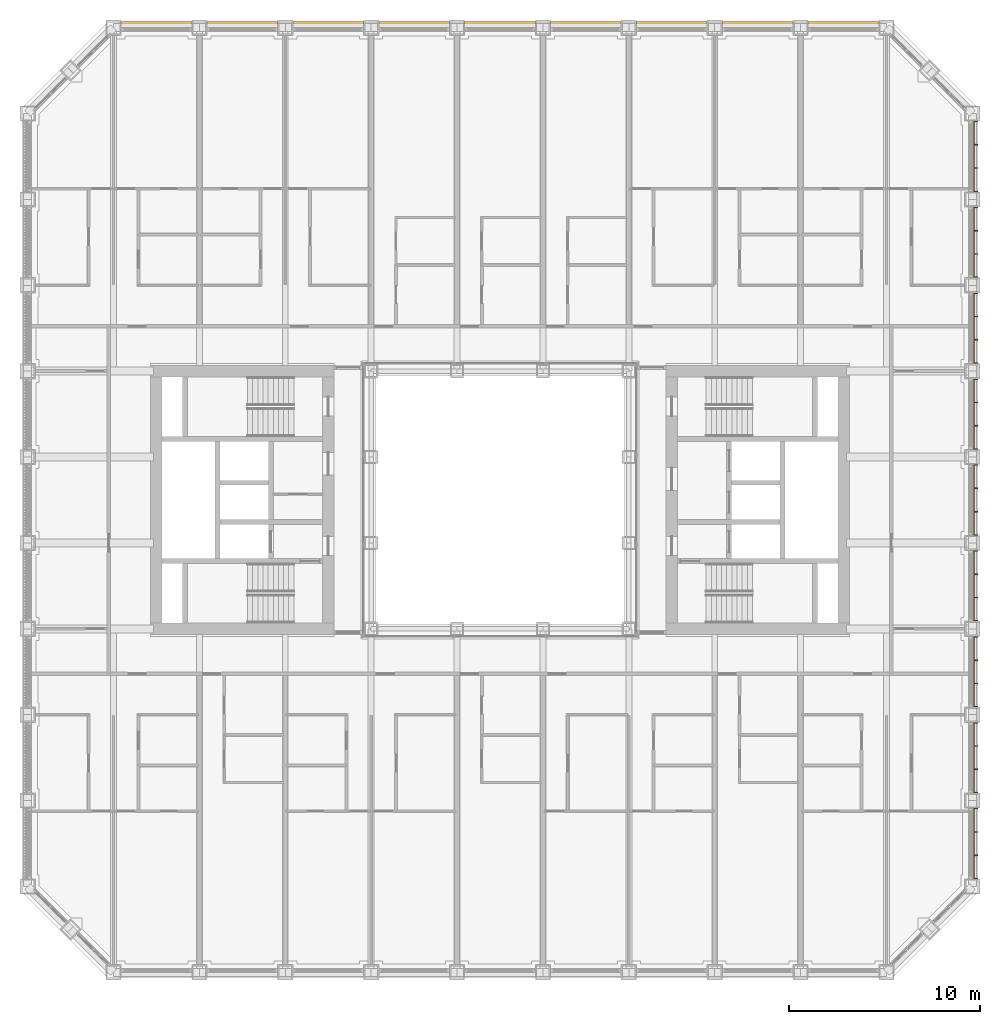
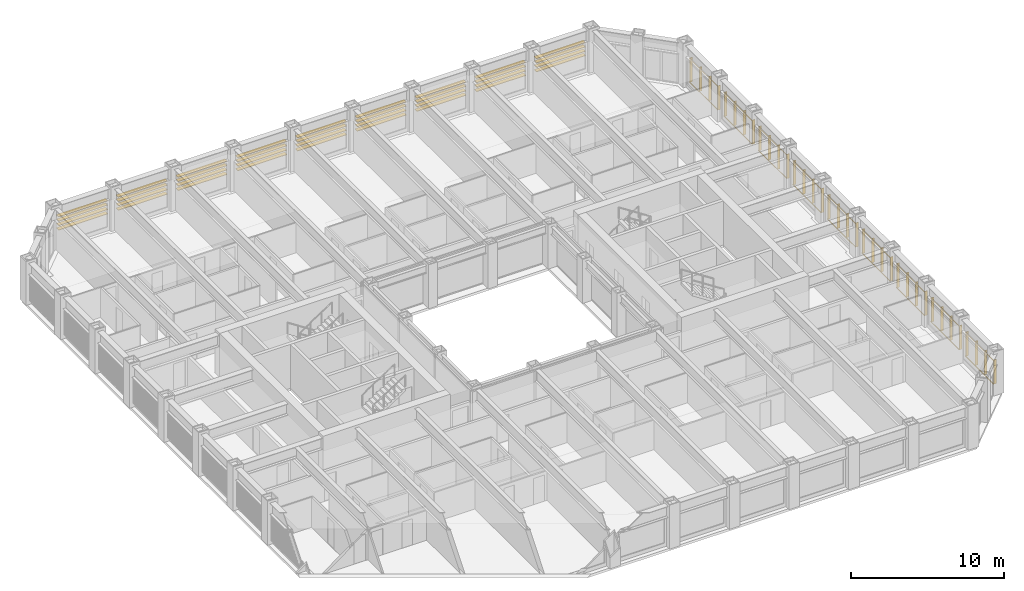
# One storey, part 21 of 21: 2 shading devices.
"""IFC4 building model written with IfcOpenShell, lengths in metres."""

import ifcopenshell
import ifcopenshell.guid

model = None  # the IFC model being written
_history = None  # IfcOwnerHistory: only IFC2X3 demands one
_inside = {}  # id of a spatial element -> (the spatial element, [elements in it])
_under = {}  # id of a project, library or spatial element -> (it, [spatial elements below it])
_declared = {}  # id of a project -> (the project, [libraries it declares])
_typed = {}  # id of a type object -> (the type object, [elements of that type])
_made_of = {}  # id of a material, layer set ... -> (it, [elements and type objects made of it])


def new_model(schema):
    """Start an empty IFC model of exactly this schema.

    Asked for "IFC4X3", IfcOpenShell would pick the latest addendum, in which some entities
    have other attributes; the version numbers below select the first issue.
    IFC2X3 requires an IfcOwnerHistory on every rooted entity: one is made here for all.
    """
    global model, _history
    if schema == "IFC4X3":
        model = ifcopenshell.file(schema_version=(4, 3, 0, 0))
    else:
        model = ifcopenshell.file(schema=schema)
    _inside.clear()
    _under.clear()
    _declared.clear()
    _typed.clear()
    _made_of.clear()
    _history = None
    if model.schema == "IFC2X3":
        org = make("IfcOrganization", Name="unknown")
        user = make(
            "IfcPersonAndOrganization",
            ThePerson=make("IfcPerson", FamilyName="unknown"),
            TheOrganization=org,
        )
        app = make(
            "IfcApplication",
            ApplicationDeveloper=org,
            Version="unknown",
            ApplicationFullName="unknown",
            ApplicationIdentifier="unknown",
        )
        _history = make(
            "IfcOwnerHistory",
            OwningUser=user,
            OwningApplication=app,
            ChangeAction="ADDED",
            CreationDate=0,
        )
    return model


def make(cls, **values):
    """One entity of the class cls with the attributes given. An attribute that is None is left unset."""
    return model.create_entity(
        cls, **{name: value for name, value in values.items() if value is not None}
    )


def rooted(cls, **values):
    """An entity with a GlobalId (a new one), such as an element, a storey or a relation."""
    return make(cls, GlobalId=ifcopenshell.guid.new(), OwnerHistory=_history, **values)


def si_unit(unit_type, name, prefix=None):
    """IfcSIUnit, for example si_unit("LENGTHUNIT", "METRE", prefix="MILLI")."""
    return make("IfcSIUnit", UnitType=unit_type, Prefix=prefix, Name=name)


def assignment(units):
    """IfcUnitAssignment: the units of a project."""
    return None if units is None else make("IfcUnitAssignment", Units=units)


def point(xyz):
    """IfcCartesianPoint."""
    return None if xyz is None else make("IfcCartesianPoint", Coordinates=xyz)


def direction(xyz):
    """IfcDirection."""
    return None if xyz is None else make("IfcDirection", DirectionRatios=xyz)


def frame(location, z_axis=None, x_axis=None):
    """IfcAxis2Placement3D, a coordinate frame: its origin and axes. An axis left out is left unset."""
    return make(
        "IfcAxis2Placement3D",
        Location=point(location),
        Axis=direction(z_axis),
        RefDirection=direction(x_axis),
    )


def frame_2d(location, x_axis=None):
    """IfcAxis2Placement2D, a coordinate frame in the plane: its origin and x axis."""
    return make(
        "IfcAxis2Placement2D", Location=point(location), RefDirection=direction(x_axis)
    )


def origin():
    """The frame at (0, 0, 0) with its axes left unset."""
    return frame((0.0, 0.0, 0.0))


def origin_2d():
    """The frame at (0, 0) in the plane with its x axis left unset."""
    return frame_2d((0.0, 0.0))


def place(relative_to, where):
    """IfcLocalPlacement: puts the frame where relative to a parent placement (None: the world)."""
    return make(
        "IfcLocalPlacement", PlacementRelTo=relative_to, RelativePlacement=where
    )


def context(
    kind, dimensions, precision=None, world=None, true_north=None, identifier=None
):
    """IfcGeometricRepresentationContext, for example the 3D "Model" context."""
    return make(
        "IfcGeometricRepresentationContext",
        ContextIdentifier=identifier,
        ContextType=kind,
        CoordinateSpaceDimension=dimensions,
        Precision=precision,
        WorldCoordinateSystem=world,
        TrueNorth=true_north,
    )


def subcontext(parent, identifier, kind, view, scale=None):
    """IfcGeometricRepresentationSubContext, for example "Body" below "Model"."""
    return make(
        "IfcGeometricRepresentationSubContext",
        ContextIdentifier=identifier,
        ContextType=kind,
        ParentContext=parent,
        TargetScale=scale,
        TargetView=view,
    )


def project(units=None, contexts=None):
    """IfcProject with its units and contexts."""
    return rooted(
        "IfcProject",
        Name="project",
        RepresentationContexts=contexts,
        UnitsInContext=assignment(units),
    )


def spatial(cls, under=None, at=None, **own):
    """A site, building, storey or space (cls), placed at a placement, below another one or the project."""
    s = rooted(cls, ObjectPlacement=at, **own)
    if under is not None:
        _under.setdefault(under.id(), (under, []))[1].append(s)
    return s


def profile(cls, at=None, kind="AREA", **sizes):
    """A parametric profile (cls). Its sizes go by their IFC names, for example OverallWidth=200.0."""
    return make(cls, ProfileType=kind, Position=at, **sizes)


def rectangle(**sizes):
    """IfcRectangleProfileDef."""
    return profile("IfcRectangleProfileDef", **sizes)


def extrude(swept, where, along, depth):
    """IfcExtrudedAreaSolid: the profile swept, set in the frame where, extruded along a direction by depth."""
    return make(
        "IfcExtrudedAreaSolid",
        SweptArea=swept,
        Position=where,
        ExtrudedDirection=direction(along),
        Depth=depth,
    )


def shape(context_of_items, identifier, shape_type, items):
    """IfcShapeRepresentation: the items that make up one representation, for example the "Body"."""
    return make(
        "IfcShapeRepresentation",
        ContextOfItems=context_of_items,
        RepresentationIdentifier=identifier,
        RepresentationType=shape_type,
        Items=items,
    )


def material(Name=None, Category=None):
    """IfcMaterial."""
    return make("IfcMaterial", Name=Name, Category=Category)


def made_of(thing, what):
    """Note that an element or type object is made of a material, layer set ...; save() writes the relation."""
    if what is not None:
        _made_of.setdefault(what.id(), (what, []))[1].append(thing)
    return thing


def type_object(cls, material=None, **own):
    """A type object (cls), such as IfcWallType, which elements share."""
    return made_of(rooted(cls, **own), material)


def element(
    cls,
    number,
    at=None,
    inside=None,
    cuts=None,
    type_object=None,
    material=None,
    context=None,
    identifier="Body",
    shape_type=None,
    held_by="IfcProductDefinitionShape",
    body=None,
    shapes=None,
    **own,
):
    """One element of the class cls, such as IfcWall. Its Tag is "e" and its number.

    at: its placement. inside: the storey or other place that contains it. cuts: it is an
    opening in that element (IfcRelVoidsElement). A single representation is given by context,
    identifier, shape_type and body (its items); several are given by shapes. held_by: the class
    of the entity that holds the representations. save() writes the other relations.
    """
    e = rooted(cls, Tag="e%d" % number, ObjectPlacement=at, **own)
    if body is not None:
        shapes = [shape(context, identifier, shape_type, body)]
    if shapes is not None:
        e.Representation = make(held_by, Representations=shapes)
    if inside is not None:
        _inside.setdefault(inside.id(), (inside, []))[1].append(e)
    if cuts is not None:
        rooted(
            "IfcRelVoidsElement", RelatingBuildingElement=cuts, RelatedOpeningElement=e
        )
    if type_object is not None:
        _typed.setdefault(type_object.id(), (type_object, []))[1].append(e)
    return made_of(e, material)


def aggregate(whole, parts):
    """IfcRelAggregates: a whole, such as a stair, and the parts it consists of."""
    return rooted("IfcRelAggregates", RelatingObject=whole, RelatedObjects=parts)


def save(model, path):
    """Write the relations noted so far, then the file.

    IfcRelAggregates (storeys below a building ...), IfcRelContainedInSpatialStructure (elements
    in a storey), IfcRelDefinesByType, IfcRelAssociatesMaterial and IfcRelDeclares: one each for
    every whole, place, type object, material and project.
    """
    for whole, parts in _under.values():
        aggregate(whole, parts)
    for where, things in _inside.values():
        rooted(
            "IfcRelContainedInSpatialStructure",
            RelatedElements=things,
            RelatingStructure=where,
        )
    for kind, things in _typed.values():
        rooted("IfcRelDefinesByType", RelatedObjects=things, RelatingType=kind)
    for what, things in _made_of.values():
        rooted("IfcRelAssociatesMaterial", RelatedObjects=things, RelatingMaterial=what)
    for by, libraries in _declared.values():
        rooted("IfcRelDeclares", RelatingContext=by, RelatedDefinitions=libraries)
    model.write(path)


model = new_model("IFC4")

# Units and contexts
model_context = context("Model", 3, precision=1e-05, world=origin(), true_north=direction((0.0, 1.0)))
body_context = subcontext(model_context, "Body", "Model", "MODEL_VIEW")
ifc_project = project(units=[si_unit("LENGTHUNIT", "METRE"), si_unit("AREAUNIT", "SQUARE_METRE"), si_unit("VOLUMEUNIT", "CUBIC_METRE"), si_unit("PLANEANGLEUNIT", "RADIAN"), si_unit("MASSUNIT", "GRAM", prefix="KILO")], contexts=[model_context])

# Site, building, storey
site_placement = place(None, origin())
site = spatial("IfcSite", under=ifc_project, at=site_placement, CompositionType="ELEMENT")
building_placement = place(site_placement, origin())
building = spatial("IfcBuilding", under=site, at=building_placement, Name="Msasa Ring Tower", CompositionType="ELEMENT")
storey_placement = place(building_placement, frame((0.0, 0.0, 44.0)))
storey = spatial("IfcBuildingStorey", under=building, at=storey_placement, Name="L10", CompositionType="ELEMENT", Elevation=44.0)

# Shading devices
ifc_material_1 = material(Name="Extruded terracotta on aluminium carriers", Category="masonry")
shading_device_type_1 = type_object("IfcShadingDeviceType", Name="BS2 TERRACOTTA FIN SCREEN 40x200 AT 1350", PredefinedType="USERDEFINED", material=ifc_material_1)
shading_device_1_placement = place(storey_placement, origin())
element("IfcShadingDevice", 1, at=shading_device_1_placement, inside=storey, type_object=shading_device_type_1, Name="Terracotta fin screen E L10", ObjectType="BAGUETTE", PredefinedType="USERDEFINED", context=body_context, shape_type="SweptSolid", body=[
    extrude(rectangle(XDim=0.06005859375, YDim=0.0400390625, at=origin_2d()), frame((24.830078125, -19.85009765625, 0.330078125), z_axis=(0.0, 1.0, 0.0), x_axis=(0.0, 0.0, 1.0)), (0.0, 0.0, 1.0), 3.699951171875),
    extrude(rectangle(XDim=0.06005859375, YDim=0.0400390625, at=origin_2d()), frame((24.830078125, -19.85009765625, 2.198974609375), z_axis=(0.0, 1.0, 0.0), x_axis=(0.0, 0.0, 1.0)), (0.0, 0.0, 1.0), 3.699951171875),
    extrude(rectangle(XDim=0.0400390625, YDim=0.199951171875, at=origin_2d()), frame((24.945068359375, -19.830078125, 0.300048828125), z_axis=(0.0, 0.0, 1.0), x_axis=(0.0, 1.0, 0.0)), (0.0, 0.0, 1.0), 1.928955078125),
    extrude(rectangle(XDim=0.0400390625, YDim=0.199951171875, at=origin_2d()), frame((24.945068359375, -18.610107421875, 0.300048828125), z_axis=(0.0, 0.0, 1.0), x_axis=(0.0, 1.0, 0.0)), (0.0, 0.0, 1.0), 1.928955078125),
    extrude(rectangle(XDim=0.0400390625, YDim=0.199951171875, at=origin_2d()), frame((24.945068359375, -17.389892578125, 0.300048828125), z_axis=(0.0, 0.0, 1.0), x_axis=(0.0, 1.0, 0.0)), (0.0, 0.0, 1.0), 1.928955078125),
    extrude(rectangle(XDim=0.0400390625, YDim=0.199951171875, at=origin_2d()), frame((24.945068359375, -16.169921875, 0.300048828125), z_axis=(0.0, 0.0, 1.0), x_axis=(0.0, 1.0, 0.0)), (0.0, 0.0, 1.0), 1.928955078125),
    extrude(rectangle(XDim=0.06005859375, YDim=0.0400390625, at=origin_2d()), frame((24.830078125, -15.35009765625, 0.330078125), z_axis=(0.0, 1.0, 0.0), x_axis=(0.0, 0.0, 1.0)), (0.0, 0.0, 1.0), 3.699951171875),
    extrude(rectangle(XDim=0.06005859375, YDim=0.0400390625, at=origin_2d()), frame((24.830078125, -15.35009765625, 2.198974609375), z_axis=(0.0, 1.0, 0.0), x_axis=(0.0, 0.0, 1.0)), (0.0, 0.0, 1.0), 3.699951171875),
    extrude(rectangle(XDim=0.0400390625, YDim=0.199951171875, at=origin_2d()), frame((24.945068359375, -15.330078125, 0.300048828125), z_axis=(0.0, 0.0, 1.0), x_axis=(0.0, 1.0, 0.0)), (0.0, 0.0, 1.0), 1.928955078125),
    extrude(rectangle(XDim=0.0400390625, YDim=0.199951171875, at=origin_2d()), frame((24.945068359375, -14.110107421875, 0.300048828125), z_axis=(0.0, 0.0, 1.0), x_axis=(0.0, 1.0, 0.0)), (0.0, 0.0, 1.0), 1.928955078125),
    extrude(rectangle(XDim=0.0400390625, YDim=0.199951171875, at=origin_2d()), frame((24.945068359375, -12.889892578125, 0.300048828125), z_axis=(0.0, 0.0, 1.0), x_axis=(0.0, 1.0, 0.0)), (0.0, 0.0, 1.0), 1.928955078125),
    extrude(rectangle(XDim=0.0400390625, YDim=0.199951171875, at=origin_2d()), frame((24.945068359375, -11.669921875, 0.300048828125), z_axis=(0.0, 0.0, 1.0), x_axis=(0.0, 1.0, 0.0)), (0.0, 0.0, 1.0), 1.928955078125),
    extrude(rectangle(XDim=0.06005859375, YDim=0.0400390625, at=origin_2d()), frame((24.830078125, -10.85009765625, 0.330078125), z_axis=(0.0, 1.0, 0.0), x_axis=(0.0, 0.0, 1.0)), (0.0, 0.0, 1.0), 3.699951171875),
    extrude(rectangle(XDim=0.06005859375, YDim=0.0400390625, at=origin_2d()), frame((24.830078125, -10.85009765625, 2.198974609375), z_axis=(0.0, 1.0, 0.0), x_axis=(0.0, 0.0, 1.0)), (0.0, 0.0, 1.0), 3.699951171875),
    extrude(rectangle(XDim=0.0400390625, YDim=0.199951171875, at=origin_2d()), frame((24.945068359375, -10.830078125, 0.300048828125), z_axis=(0.0, 0.0, 1.0), x_axis=(0.0, 1.0, 0.0)), (0.0, 0.0, 1.0), 1.928955078125),
    extrude(rectangle(XDim=0.0400390625, YDim=0.199951171875, at=origin_2d()), frame((24.945068359375, -9.610107421875, 0.300048828125), z_axis=(0.0, 0.0, 1.0), x_axis=(0.0, 1.0, 0.0)), (0.0, 0.0, 1.0), 1.928955078125),
    extrude(rectangle(XDim=0.0400390625, YDim=0.199951171875, at=origin_2d()), frame((24.945068359375, -8.389892578125, 0.300048828125), z_axis=(0.0, 0.0, 1.0), x_axis=(0.0, 1.0, 0.0)), (0.0, 0.0, 1.0), 1.928955078125),
    extrude(rectangle(XDim=0.0400390625, YDim=0.199951171875, at=origin_2d()), frame((24.945068359375, -7.169921875, 0.300048828125), z_axis=(0.0, 0.0, 1.0), x_axis=(0.0, 1.0, 0.0)), (0.0, 0.0, 1.0), 1.928955078125),
    extrude(rectangle(XDim=0.06005859375, YDim=0.0400390625, at=origin_2d()), frame((24.830078125, -6.35009765625, 0.330078125), z_axis=(0.0, 1.0, 0.0), x_axis=(0.0, 0.0, 1.0)), (0.0, 0.0, 1.0), 3.699951171875),
    extrude(rectangle(XDim=0.06005859375, YDim=0.0400390625, at=origin_2d()), frame((24.830078125, -6.35009765625, 2.198974609375), z_axis=(0.0, 1.0, 0.0), x_axis=(0.0, 0.0, 1.0)), (0.0, 0.0, 1.0), 3.699951171875),
    extrude(rectangle(XDim=0.0400390625, YDim=0.199951171875, at=origin_2d()), frame((24.945068359375, -6.330078125, 0.300048828125), z_axis=(0.0, 0.0, 1.0), x_axis=(0.0, 1.0, 0.0)), (0.0, 0.0, 1.0), 1.928955078125),
    extrude(rectangle(XDim=0.0400390625, YDim=0.199951171875, at=origin_2d()), frame((24.945068359375, -5.110107421875, 0.300048828125), z_axis=(0.0, 0.0, 1.0), x_axis=(0.0, 1.0, 0.0)), (0.0, 0.0, 1.0), 1.928955078125),
    extrude(rectangle(XDim=0.0400390625, YDim=0.199951171875, at=origin_2d()), frame((24.945068359375, -3.889892578125, 0.300048828125), z_axis=(0.0, 0.0, 1.0), x_axis=(0.0, 1.0, 0.0)), (0.0, 0.0, 1.0), 1.928955078125),
    extrude(rectangle(XDim=0.0400390625, YDim=0.199951171875, at=origin_2d()), frame((24.945068359375, -2.669921875, 0.300048828125), z_axis=(0.0, 0.0, 1.0), x_axis=(0.0, 1.0, 0.0)), (0.0, 0.0, 1.0), 1.928955078125),
    extrude(rectangle(XDim=0.06005859375, YDim=0.0400390625, at=origin_2d()), frame((24.830078125, -1.85009765625, 0.330078125), z_axis=(0.0, 1.0, 0.0), x_axis=(0.0, 0.0, 1.0)), (0.0, 0.0, 1.0), 3.699951171875),
    extrude(rectangle(XDim=0.06005859375, YDim=0.0400390625, at=origin_2d()), frame((24.830078125, -1.85009765625, 2.198974609375), z_axis=(0.0, 1.0, 0.0), x_axis=(0.0, 0.0, 1.0)), (0.0, 0.0, 1.0), 3.699951171875),
    extrude(rectangle(XDim=0.0400390625, YDim=0.199951171875, at=origin_2d()), frame((24.945068359375, -1.830078125, 0.300048828125), z_axis=(0.0, 0.0, 1.0), x_axis=(0.0, 1.0, 0.0)), (0.0, 0.0, 1.0), 1.928955078125),
    extrude(rectangle(XDim=0.0400390625, YDim=0.199951171875, at=origin_2d()), frame((24.945068359375, -0.610107421875, 0.300048828125), z_axis=(0.0, 0.0, 1.0), x_axis=(0.0, 1.0, 0.0)), (0.0, 0.0, 1.0), 1.928955078125),
    extrude(rectangle(XDim=0.0400390625, YDim=0.199951171875, at=origin_2d()), frame((24.945068359375, 0.610107421875, 0.300048828125), z_axis=(0.0, 0.0, 1.0), x_axis=(0.0, 1.0, 0.0)), (0.0, 0.0, 1.0), 1.928955078125),
    extrude(rectangle(XDim=0.0400390625, YDim=0.199951171875, at=origin_2d()), frame((24.945068359375, 1.830078125, 0.300048828125), z_axis=(0.0, 0.0, 1.0), x_axis=(0.0, 1.0, 0.0)), (0.0, 0.0, 1.0), 1.928955078125),
    extrude(rectangle(XDim=0.06005859375, YDim=0.0400390625, at=origin_2d()), frame((24.830078125, 2.64990234375, 0.330078125), z_axis=(0.0, 1.0, 0.0), x_axis=(0.0, 0.0, 1.0)), (0.0, 0.0, 1.0), 3.699951171875),
    extrude(rectangle(XDim=0.06005859375, YDim=0.0400390625, at=origin_2d()), frame((24.830078125, 2.64990234375, 2.198974609375), z_axis=(0.0, 1.0, 0.0), x_axis=(0.0, 0.0, 1.0)), (0.0, 0.0, 1.0), 3.699951171875),
    extrude(rectangle(XDim=0.0400390625, YDim=0.199951171875, at=origin_2d()), frame((24.945068359375, 2.669921875, 0.300048828125), z_axis=(0.0, 0.0, 1.0), x_axis=(0.0, 1.0, 0.0)), (0.0, 0.0, 1.0), 1.928955078125),
    extrude(rectangle(XDim=0.0400390625, YDim=0.199951171875, at=origin_2d()), frame((24.945068359375, 3.889892578125, 0.300048828125), z_axis=(0.0, 0.0, 1.0), x_axis=(0.0, 1.0, 0.0)), (0.0, 0.0, 1.0), 1.928955078125),
    extrude(rectangle(XDim=0.0400390625, YDim=0.199951171875, at=origin_2d()), frame((24.945068359375, 5.110107421875, 0.300048828125), z_axis=(0.0, 0.0, 1.0), x_axis=(0.0, 1.0, 0.0)), (0.0, 0.0, 1.0), 1.928955078125),
    extrude(rectangle(XDim=0.0400390625, YDim=0.199951171875, at=origin_2d()), frame((24.945068359375, 6.330078125, 0.300048828125), z_axis=(0.0, 0.0, 1.0), x_axis=(0.0, 1.0, 0.0)), (0.0, 0.0, 1.0), 1.928955078125),
    extrude(rectangle(XDim=0.06005859375, YDim=0.0400390625, at=origin_2d()), frame((24.830078125, 7.14990234375, 0.330078125), z_axis=(0.0, 1.0, 0.0), x_axis=(0.0, 0.0, 1.0)), (0.0, 0.0, 1.0), 3.699951171875),
    extrude(rectangle(XDim=0.06005859375, YDim=0.0400390625, at=origin_2d()), frame((24.830078125, 7.14990234375, 2.198974609375), z_axis=(0.0, 1.0, 0.0), x_axis=(0.0, 0.0, 1.0)), (0.0, 0.0, 1.0), 3.699951171875),
    extrude(rectangle(XDim=0.0400390625, YDim=0.199951171875, at=origin_2d()), frame((24.945068359375, 7.169921875, 0.300048828125), z_axis=(0.0, 0.0, 1.0), x_axis=(0.0, 1.0, 0.0)), (0.0, 0.0, 1.0), 1.928955078125),
    extrude(rectangle(XDim=0.0400390625, YDim=0.199951171875, at=origin_2d()), frame((24.945068359375, 8.389892578125, 0.300048828125), z_axis=(0.0, 0.0, 1.0), x_axis=(0.0, 1.0, 0.0)), (0.0, 0.0, 1.0), 1.928955078125),
    extrude(rectangle(XDim=0.0400390625, YDim=0.199951171875, at=origin_2d()), frame((24.945068359375, 9.610107421875, 0.300048828125), z_axis=(0.0, 0.0, 1.0), x_axis=(0.0, 1.0, 0.0)), (0.0, 0.0, 1.0), 1.928955078125),
    extrude(rectangle(XDim=0.0400390625, YDim=0.199951171875, at=origin_2d()), frame((24.945068359375, 10.830078125, 0.300048828125), z_axis=(0.0, 0.0, 1.0), x_axis=(0.0, 1.0, 0.0)), (0.0, 0.0, 1.0), 1.928955078125),
    extrude(rectangle(XDim=0.06005859375, YDim=0.0400390625, at=origin_2d()), frame((24.830078125, 11.64990234375, 0.330078125), z_axis=(0.0, 1.0, 0.0), x_axis=(0.0, 0.0, 1.0)), (0.0, 0.0, 1.0), 3.699951171875),
    extrude(rectangle(XDim=0.06005859375, YDim=0.0400390625, at=origin_2d()), frame((24.830078125, 11.64990234375, 2.198974609375), z_axis=(0.0, 1.0, 0.0), x_axis=(0.0, 0.0, 1.0)), (0.0, 0.0, 1.0), 3.699951171875),
    extrude(rectangle(XDim=0.0400390625, YDim=0.199951171875, at=origin_2d()), frame((24.945068359375, 11.669921875, 0.300048828125), z_axis=(0.0, 0.0, 1.0), x_axis=(0.0, 1.0, 0.0)), (0.0, 0.0, 1.0), 1.928955078125),
    extrude(rectangle(XDim=0.0400390625, YDim=0.199951171875, at=origin_2d()), frame((24.945068359375, 12.889892578125, 0.300048828125), z_axis=(0.0, 0.0, 1.0), x_axis=(0.0, 1.0, 0.0)), (0.0, 0.0, 1.0), 1.928955078125),
    extrude(rectangle(XDim=0.0400390625, YDim=0.199951171875, at=origin_2d()), frame((24.945068359375, 14.110107421875, 0.300048828125), z_axis=(0.0, 0.0, 1.0), x_axis=(0.0, 1.0, 0.0)), (0.0, 0.0, 1.0), 1.928955078125),
    extrude(rectangle(XDim=0.0400390625, YDim=0.199951171875, at=origin_2d()), frame((24.945068359375, 15.330078125, 0.300048828125), z_axis=(0.0, 0.0, 1.0), x_axis=(0.0, 1.0, 0.0)), (0.0, 0.0, 1.0), 1.928955078125),
    extrude(rectangle(XDim=0.06005859375, YDim=0.0400390625, at=origin_2d()), frame((24.830078125, 16.14990234375, 0.330078125), z_axis=(0.0, 1.0, 0.0), x_axis=(0.0, 0.0, 1.0)), (0.0, 0.0, 1.0), 3.699951171875),
    extrude(rectangle(XDim=0.06005859375, YDim=0.0400390625, at=origin_2d()), frame((24.830078125, 16.14990234375, 2.198974609375), z_axis=(0.0, 1.0, 0.0), x_axis=(0.0, 0.0, 1.0)), (0.0, 0.0, 1.0), 3.699951171875),
    extrude(rectangle(XDim=0.0400390625, YDim=0.199951171875, at=origin_2d()), frame((24.945068359375, 16.169921875, 0.300048828125), z_axis=(0.0, 0.0, 1.0), x_axis=(0.0, 1.0, 0.0)), (0.0, 0.0, 1.0), 1.928955078125),
    extrude(rectangle(XDim=0.0400390625, YDim=0.199951171875, at=origin_2d()), frame((24.945068359375, 17.389892578125, 0.300048828125), z_axis=(0.0, 0.0, 1.0), x_axis=(0.0, 1.0, 0.0)), (0.0, 0.0, 1.0), 1.928955078125),
    extrude(rectangle(XDim=0.0400390625, YDim=0.199951171875, at=origin_2d()), frame((24.945068359375, 18.610107421875, 0.300048828125), z_axis=(0.0, 0.0, 1.0), x_axis=(0.0, 1.0, 0.0)), (0.0, 0.0, 1.0), 1.928955078125),
    extrude(rectangle(XDim=0.0400390625, YDim=0.199951171875, at=origin_2d()), frame((24.945068359375, 19.830078125, 0.300048828125), z_axis=(0.0, 0.0, 1.0), x_axis=(0.0, 1.0, 0.0)), (0.0, 0.0, 1.0), 1.928955078125),
])
ifc_material_2 = material(Name="Extruded terracotta blades", Category="masonry")
shading_device_type_2 = type_object("IfcShadingDeviceType", Name="SS1 TERRACOTTA SUNSHADE 4 BLADES 300x40 AT 350", PredefinedType="USERDEFINED", material=ifc_material_2)
shading_device_2_placement = place(storey_placement, origin())
element("IfcShadingDevice", 2, at=shading_device_2_placement, inside=storey, type_object=shading_device_type_2, Name="Terracotta sunshade N L10", ObjectType="SUNSHADE", PredefinedType="USERDEFINED", context=body_context, shape_type="SweptSolid", body=[
    extrude(rectangle(XDim=0.0400390625, YDim=0.300048828125, at=origin_2d()), frame((-19.85009765625, 24.929931640625, 2.208984375), z_axis=(1.0, 0.0, 0.0), x_axis=(0.0, 0.0, 1.0)), (0.0, 0.0, 1.0), 3.699951171875),
    extrude(rectangle(XDim=0.0400390625, YDim=0.300048828125, at=origin_2d()), frame((-19.85009765625, 24.929931640625, 1.85888671875), z_axis=(1.0, 0.0, 0.0), x_axis=(0.0, 0.0, 1.0)), (0.0, 0.0, 1.0), 3.699951171875),
    extrude(rectangle(XDim=0.0400390625, YDim=0.300048828125, at=origin_2d()), frame((-19.85009765625, 24.929931640625, 1.509033203125), z_axis=(1.0, 0.0, 0.0), x_axis=(0.0, 0.0, 1.0)), (0.0, 0.0, 1.0), 3.699951171875),
    extrude(rectangle(XDim=0.0400390625, YDim=0.300048828125, at=origin_2d()), frame((-19.85009765625, 24.929931640625, 1.158935546875), z_axis=(1.0, 0.0, 0.0), x_axis=(0.0, 0.0, 1.0)), (0.0, 0.0, 1.0), 3.699951171875),
    extrude(rectangle(XDim=0.0400390625, YDim=0.300048828125, at=origin_2d()), frame((-15.35009765625, 24.929931640625, 2.208984375), z_axis=(1.0, 0.0, 0.0), x_axis=(0.0, 0.0, 1.0)), (0.0, 0.0, 1.0), 3.699951171875),
    extrude(rectangle(XDim=0.0400390625, YDim=0.300048828125, at=origin_2d()), frame((-15.35009765625, 24.929931640625, 1.85888671875), z_axis=(1.0, 0.0, 0.0), x_axis=(0.0, 0.0, 1.0)), (0.0, 0.0, 1.0), 3.699951171875),
    extrude(rectangle(XDim=0.0400390625, YDim=0.300048828125, at=origin_2d()), frame((-15.35009765625, 24.929931640625, 1.509033203125), z_axis=(1.0, 0.0, 0.0), x_axis=(0.0, 0.0, 1.0)), (0.0, 0.0, 1.0), 3.699951171875),
    extrude(rectangle(XDim=0.0400390625, YDim=0.300048828125, at=origin_2d()), frame((-15.35009765625, 24.929931640625, 1.158935546875), z_axis=(1.0, 0.0, 0.0), x_axis=(0.0, 0.0, 1.0)), (0.0, 0.0, 1.0), 3.699951171875),
    extrude(rectangle(XDim=0.0400390625, YDim=0.300048828125, at=origin_2d()), frame((-10.85009765625, 24.929931640625, 2.208984375), z_axis=(1.0, 0.0, 0.0), x_axis=(0.0, 0.0, 1.0)), (0.0, 0.0, 1.0), 3.699951171875),
    extrude(rectangle(XDim=0.0400390625, YDim=0.300048828125, at=origin_2d()), frame((-10.85009765625, 24.929931640625, 1.85888671875), z_axis=(1.0, 0.0, 0.0), x_axis=(0.0, 0.0, 1.0)), (0.0, 0.0, 1.0), 3.699951171875),
    extrude(rectangle(XDim=0.0400390625, YDim=0.300048828125, at=origin_2d()), frame((-10.85009765625, 24.929931640625, 1.509033203125), z_axis=(1.0, 0.0, 0.0), x_axis=(0.0, 0.0, 1.0)), (0.0, 0.0, 1.0), 3.699951171875),
    extrude(rectangle(XDim=0.0400390625, YDim=0.300048828125, at=origin_2d()), frame((-10.85009765625, 24.929931640625, 1.158935546875), z_axis=(1.0, 0.0, 0.0), x_axis=(0.0, 0.0, 1.0)), (0.0, 0.0, 1.0), 3.699951171875),
    extrude(rectangle(XDim=0.0400390625, YDim=0.300048828125, at=origin_2d()), frame((-6.35009765625, 24.929931640625, 2.208984375), z_axis=(1.0, 0.0, 0.0), x_axis=(0.0, 0.0, 1.0)), (0.0, 0.0, 1.0), 3.699951171875),
    extrude(rectangle(XDim=0.0400390625, YDim=0.300048828125, at=origin_2d()), frame((-6.35009765625, 24.929931640625, 1.85888671875), z_axis=(1.0, 0.0, 0.0), x_axis=(0.0, 0.0, 1.0)), (0.0, 0.0, 1.0), 3.699951171875),
    extrude(rectangle(XDim=0.0400390625, YDim=0.300048828125, at=origin_2d()), frame((-6.35009765625, 24.929931640625, 1.509033203125), z_axis=(1.0, 0.0, 0.0), x_axis=(0.0, 0.0, 1.0)), (0.0, 0.0, 1.0), 3.699951171875),
    extrude(rectangle(XDim=0.0400390625, YDim=0.300048828125, at=origin_2d()), frame((-6.35009765625, 24.929931640625, 1.158935546875), z_axis=(1.0, 0.0, 0.0), x_axis=(0.0, 0.0, 1.0)), (0.0, 0.0, 1.0), 3.699951171875),
    extrude(rectangle(XDim=0.0400390625, YDim=0.300048828125, at=origin_2d()), frame((-1.85009765625, 24.929931640625, 2.208984375), z_axis=(1.0, 0.0, 0.0), x_axis=(0.0, 0.0, 1.0)), (0.0, 0.0, 1.0), 3.699951171875),
    extrude(rectangle(XDim=0.0400390625, YDim=0.300048828125, at=origin_2d()), frame((-1.85009765625, 24.929931640625, 1.85888671875), z_axis=(1.0, 0.0, 0.0), x_axis=(0.0, 0.0, 1.0)), (0.0, 0.0, 1.0), 3.699951171875),
    extrude(rectangle(XDim=0.0400390625, YDim=0.300048828125, at=origin_2d()), frame((-1.85009765625, 24.929931640625, 1.509033203125), z_axis=(1.0, 0.0, 0.0), x_axis=(0.0, 0.0, 1.0)), (0.0, 0.0, 1.0), 3.699951171875),
    extrude(rectangle(XDim=0.0400390625, YDim=0.300048828125, at=origin_2d()), frame((-1.85009765625, 24.929931640625, 1.158935546875), z_axis=(1.0, 0.0, 0.0), x_axis=(0.0, 0.0, 1.0)), (0.0, 0.0, 1.0), 3.699951171875),
    extrude(rectangle(XDim=0.0400390625, YDim=0.300048828125, at=origin_2d()), frame((2.64990234375, 24.929931640625, 2.208984375), z_axis=(1.0, 0.0, 0.0), x_axis=(0.0, 0.0, 1.0)), (0.0, 0.0, 1.0), 3.699951171875),
    extrude(rectangle(XDim=0.0400390625, YDim=0.300048828125, at=origin_2d()), frame((2.64990234375, 24.929931640625, 1.85888671875), z_axis=(1.0, 0.0, 0.0), x_axis=(0.0, 0.0, 1.0)), (0.0, 0.0, 1.0), 3.699951171875),
    extrude(rectangle(XDim=0.0400390625, YDim=0.300048828125, at=origin_2d()), frame((2.64990234375, 24.929931640625, 1.509033203125), z_axis=(1.0, 0.0, 0.0), x_axis=(0.0, 0.0, 1.0)), (0.0, 0.0, 1.0), 3.699951171875),
    extrude(rectangle(XDim=0.0400390625, YDim=0.300048828125, at=origin_2d()), frame((2.64990234375, 24.929931640625, 1.158935546875), z_axis=(1.0, 0.0, 0.0), x_axis=(0.0, 0.0, 1.0)), (0.0, 0.0, 1.0), 3.699951171875),
    extrude(rectangle(XDim=0.0400390625, YDim=0.300048828125, at=origin_2d()), frame((7.14990234375, 24.929931640625, 2.208984375), z_axis=(1.0, 0.0, 0.0), x_axis=(0.0, 0.0, 1.0)), (0.0, 0.0, 1.0), 3.699951171875),
    extrude(rectangle(XDim=0.0400390625, YDim=0.300048828125, at=origin_2d()), frame((7.14990234375, 24.929931640625, 1.85888671875), z_axis=(1.0, 0.0, 0.0), x_axis=(0.0, 0.0, 1.0)), (0.0, 0.0, 1.0), 3.699951171875),
    extrude(rectangle(XDim=0.0400390625, YDim=0.300048828125, at=origin_2d()), frame((7.14990234375, 24.929931640625, 1.509033203125), z_axis=(1.0, 0.0, 0.0), x_axis=(0.0, 0.0, 1.0)), (0.0, 0.0, 1.0), 3.699951171875),
    extrude(rectangle(XDim=0.0400390625, YDim=0.300048828125, at=origin_2d()), frame((7.14990234375, 24.929931640625, 1.158935546875), z_axis=(1.0, 0.0, 0.0), x_axis=(0.0, 0.0, 1.0)), (0.0, 0.0, 1.0), 3.699951171875),
    extrude(rectangle(XDim=0.0400390625, YDim=0.300048828125, at=origin_2d()), frame((11.64990234375, 24.929931640625, 2.208984375), z_axis=(1.0, 0.0, 0.0), x_axis=(0.0, 0.0, 1.0)), (0.0, 0.0, 1.0), 3.699951171875),
    extrude(rectangle(XDim=0.0400390625, YDim=0.300048828125, at=origin_2d()), frame((11.64990234375, 24.929931640625, 1.85888671875), z_axis=(1.0, 0.0, 0.0), x_axis=(0.0, 0.0, 1.0)), (0.0, 0.0, 1.0), 3.699951171875),
    extrude(rectangle(XDim=0.0400390625, YDim=0.300048828125, at=origin_2d()), frame((11.64990234375, 24.929931640625, 1.509033203125), z_axis=(1.0, 0.0, 0.0), x_axis=(0.0, 0.0, 1.0)), (0.0, 0.0, 1.0), 3.699951171875),
    extrude(rectangle(XDim=0.0400390625, YDim=0.300048828125, at=origin_2d()), frame((11.64990234375, 24.929931640625, 1.158935546875), z_axis=(1.0, 0.0, 0.0), x_axis=(0.0, 0.0, 1.0)), (0.0, 0.0, 1.0), 3.699951171875),
    extrude(rectangle(XDim=0.0400390625, YDim=0.300048828125, at=origin_2d()), frame((16.14990234375, 24.929931640625, 2.208984375), z_axis=(1.0, 0.0, 0.0), x_axis=(0.0, 0.0, 1.0)), (0.0, 0.0, 1.0), 3.699951171875),
    extrude(rectangle(XDim=0.0400390625, YDim=0.300048828125, at=origin_2d()), frame((16.14990234375, 24.929931640625, 1.85888671875), z_axis=(1.0, 0.0, 0.0), x_axis=(0.0, 0.0, 1.0)), (0.0, 0.0, 1.0), 3.699951171875),
    extrude(rectangle(XDim=0.0400390625, YDim=0.300048828125, at=origin_2d()), frame((16.14990234375, 24.929931640625, 1.509033203125), z_axis=(1.0, 0.0, 0.0), x_axis=(0.0, 0.0, 1.0)), (0.0, 0.0, 1.0), 3.699951171875),
    extrude(rectangle(XDim=0.0400390625, YDim=0.300048828125, at=origin_2d()), frame((16.14990234375, 24.929931640625, 1.158935546875), z_axis=(1.0, 0.0, 0.0), x_axis=(0.0, 0.0, 1.0)), (0.0, 0.0, 1.0), 3.699951171875),
])

save(model, "model.ifc")
